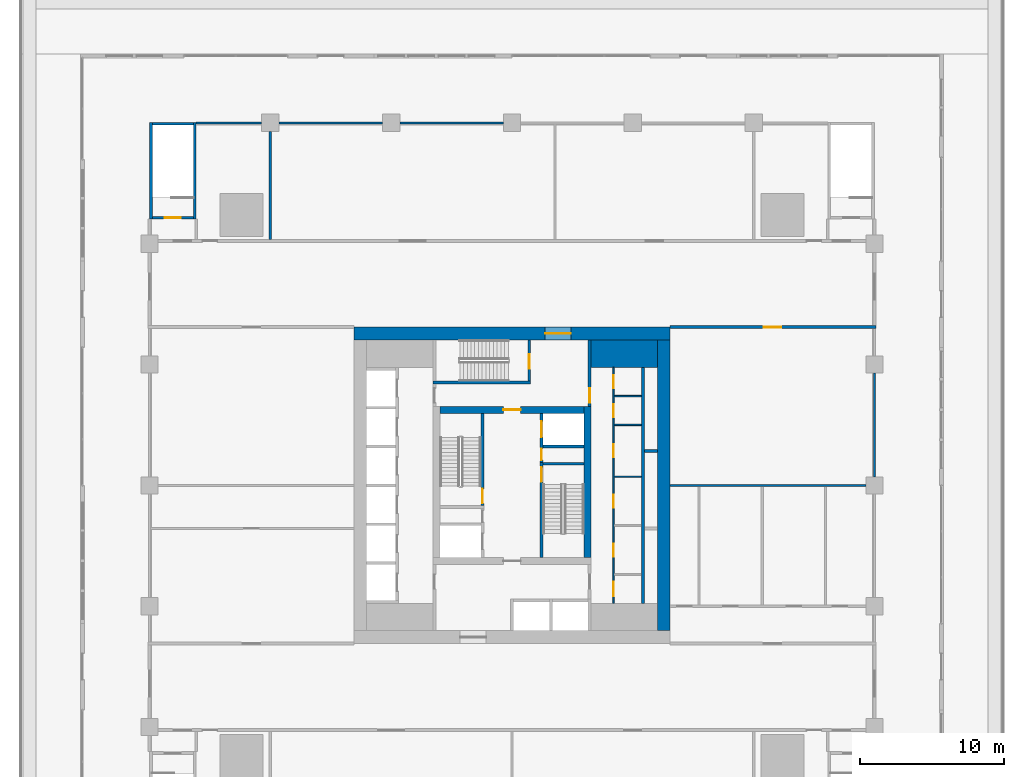
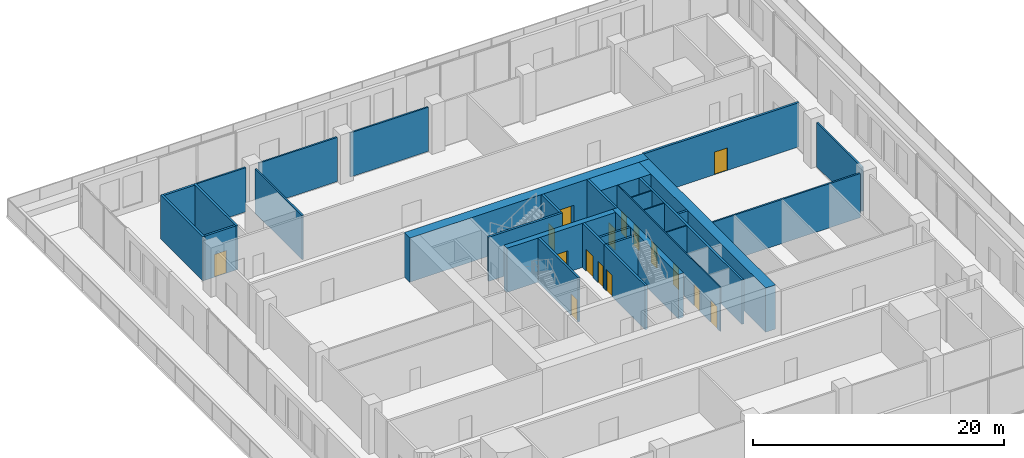
# One storey, part 15 of 22: 30 walls, 16 doors, 16 openings.
"""IFC4 building model written with IfcOpenShell, lengths in metres."""

from ifc_helpers import new_model, si_unit, direction, frame, frame_2d, origin, place, context, subcontext, project, spatial, rectangle, extrude, material, layer, layer_set, type_object, element, fill, save


model = new_model("IFC4")

# Units and contexts
model_context = context("Model", 3, precision=1e-05, world=origin(), true_north=direction((0.0, 1.0)))
body_context = subcontext(model_context, "Body", "Model", "MODEL_VIEW")
ifc_project = project(units=[si_unit("LENGTHUNIT", "METRE"), si_unit("AREAUNIT", "SQUARE_METRE"), si_unit("VOLUMEUNIT", "CUBIC_METRE"), si_unit("PLANEANGLEUNIT", "RADIAN"), si_unit("MASSUNIT", "GRAM", prefix="KILO")], contexts=[model_context])

# Site, building, storey
site_placement = place(None, origin())
site = spatial("IfcSite", under=ifc_project, at=site_placement, CompositionType="ELEMENT")
building_placement = place(site_placement, origin())
building = spatial("IfcBuilding", under=site, at=building_placement, Name="Khepri Terraces", CompositionType="ELEMENT")
storey_placement = place(building_placement, frame((0.0, 0.0, 22.199951171875)))
storey = spatial("IfcBuildingStorey", under=building, at=storey_placement, Name="L04", CompositionType="ELEMENT", Elevation=22.199951171875)

# Wall
ifc_material_1 = material(Name="Concrete C80/95", Category="concrete")
ifc_layer_1 = layer(ifc_material_1, 1.89990234375, Name="Concrete C80/95", Category="concrete")
ifc_layer_set_1 = layer_set([ifc_layer_1], Name="Concrete C80/95")
wall_type_1 = type_object("IfcWallType", Name="Core wall 1900 C80/95", PredefinedType="SHEAR", material=ifc_layer_set_1)
wall_1_placement = place(storey_placement, frame((5.5, 9.14990234375, 0.0), z_axis=(0.0, 0.0, 1.0), x_axis=(1.0, 0.0, 0.0)))
element("IfcWall", 1, at=wall_1_placement, inside=storey, type_object=wall_type_1, Name="Core wall PR04 L04", PredefinedType="SHEAR", context=body_context, shape_type="SweptSolid", body=[
    extrude(rectangle(XDim=4.60009765625, YDim=1.89990234375, at=frame_2d((2.300048828125, 0.0))), origin(), (0.0, 0.0, 1.0), 4.300048828125),
])

# Wall, opening, door
ifc_layer_2 = layer(ifc_material_1, 0.199951171875, Name="Concrete C80/95", Category="concrete")
ifc_layer_set_2 = layer_set([ifc_layer_2], Name="Concrete C80/95")
wall_type_2 = type_object("IfcWallType", Name="Core wall 200 C80/95", PredefinedType="SHEAR", material=ifc_layer_set_2)
wall_2_placement = place(storey_placement, frame((2.050048828125, -5.0, 0.0), z_axis=(0.0, 0.0, 1.0), x_axis=(0.0, 1.0, 0.0)))
wall_2 = element("IfcWall", 2, at=wall_2_placement, inside=storey, type_object=wall_type_2, Name="Core wall ST01 L04", PredefinedType="SHEAR", context=body_context, shape_type="SweptSolid", body=[
    extrude(rectangle(XDim=6.60009765625, YDim=0.199951171875, at=frame_2d((3.300048828125, 0.0))), origin(), (0.0, 0.0, 1.0), 4.300048828125),
])
opening_1_placement = place(wall_2_placement, frame((5.25, 0.0, 0.0)))
opening_1 = element("IfcOpeningElement", 3, at=opening_1_placement, cuts=wall_2, Name="Opening L04-C10", PredefinedType="OPENING", context=body_context, shape_type="SweptSolid", body=[
    extrude(rectangle(XDim=1.0, YDim=2.10009765625, at=frame_2d((0.5, 1.050048828125))), frame((0.0, 0.10986328125, 0.0), z_axis=(0.0, -1.0, 0.0), x_axis=(1.0, 0.0, 0.0)), (0.0, 0.0, 1.0), 0.219970703125),
])
ifc_material_2 = material(Name="Painted steel", Category="steel")
door_type_1 = type_object("IfcDoorType", Name="DR-CORE-STAIR-1000", OperationType="NOTDEFINED", PredefinedType="DOOR", material=ifc_material_2)
door_1_placement = place(opening_1_placement, frame((1.0, 0.0, 0.0), z_axis=(0.0, 0.0, 1.0), x_axis=(-1.0, 0.0, 0.0)))
door_1 = element("IfcDoor", 4, at=door_1_placement, inside=storey, type_object=door_type_1, Name="Stair door L04-C10", OperationType="SINGLE_SWING_LEFT", OverallHeight=2.10009765625, OverallWidth=1.0, PredefinedType="DOOR", context=body_context, shape_type="SweptSolid", body=[
    extrude(rectangle(XDim=1.0, YDim=2.10009765625, at=frame_2d((0.5, 1.050048828125))), frame((0.0, 0.02490234375, 0.0), z_axis=(0.0, -1.0, 0.0), x_axis=(1.0, 0.0, 0.0)), (0.0, 0.0, 1.0), 0.050048828125),
])
fill(opening_1, door_1)

wall_3_placement = place(storey_placement, frame((-2.050048828125, -1.39990234375, 0.0), z_axis=(0.0, 0.0, 1.0), x_axis=(0.0, 1.0, 0.0)))
wall_3 = element("IfcWall", 5, at=wall_3_placement, inside=storey, type_object=wall_type_2, Name="Core wall ST03 L04", PredefinedType="SHEAR", context=body_context, shape_type="SweptSolid", body=[
    extrude(rectangle(XDim=6.39990234375, YDim=0.199951171875, at=frame_2d((3.199951171875, 0.0))), origin(), (0.0, 0.0, 1.0), 4.300048828125),
])
opening_2_placement = place(wall_3_placement, frame((0.14990234375, 0.0, 0.0)))
opening_2 = element("IfcOpeningElement", 6, at=opening_2_placement, cuts=wall_3, Name="Opening L04-C09", PredefinedType="OPENING", context=body_context, shape_type="SweptSolid", body=[
    extrude(rectangle(XDim=1.0, YDim=2.10009765625, at=frame_2d((0.5, 1.050048828125))), frame((0.0, 0.10986328125, 0.0), z_axis=(0.0, -1.0, 0.0), x_axis=(1.0, 0.0, 0.0)), (0.0, 0.0, 1.0), 0.219970703125),
])
door_2_placement = place(opening_2_placement, origin())
door_2 = element("IfcDoor", 7, at=door_2_placement, inside=storey, type_object=door_type_1, Name="Stair door L04-C09", OperationType="SINGLE_SWING_LEFT", OverallHeight=2.10009765625, OverallWidth=1.0, PredefinedType="DOOR", context=body_context, shape_type="SweptSolid", body=[
    extrude(rectangle(XDim=1.0, YDim=2.10009765625, at=frame_2d((0.5, 1.050048828125))), frame((0.0, 0.02490234375, 0.0), z_axis=(0.0, -1.0, 0.0), x_axis=(1.0, 0.0, 0.0)), (0.0, 0.0, 1.0), 0.050048828125),
])
fill(opening_2, door_2)

# Walls
wall_4_placement = place(storey_placement, frame((2.14990234375, 1.5, 0.0), z_axis=(0.0, 0.0, 1.0), x_axis=(1.0, 0.0, 0.0)))
element("IfcWall", 8, at=wall_4_placement, inside=storey, type_object=wall_type_2, Name="Core wall ST04 L04", PredefinedType="SHEAR", context=body_context, shape_type="SweptSolid", body=[
    extrude(rectangle(XDim=2.85009765625, YDim=0.199951171875, at=frame_2d((1.425048828125, 0.0))), origin(), (0.0, 0.0, 1.0), 4.300048828125),
])
wall_5_placement = place(storey_placement, frame((-5.5, 7.14990234375, 0.0), z_axis=(0.0, 0.0, 1.0), x_axis=(1.0, 0.0, 0.0)))
element("IfcWall", 9, at=wall_5_placement, inside=storey, type_object=wall_type_2, Name="Core wall ST05 L04", PredefinedType="SHEAR", context=body_context, shape_type="SweptSolid", body=[
    extrude(rectangle(XDim=6.800048828125, YDim=0.199951171875, at=frame_2d((3.39990234375, 0.0))), origin(), (0.0, 0.0, 1.0), 4.300048828125),
])

# Wall, opening, door
wall_6_placement = place(storey_placement, frame((1.199951171875, 7.25, 0.0), z_axis=(0.0, 0.0, 1.0), x_axis=(0.0, 1.0, 0.0)))
wall_6 = element("IfcWall", 10, at=wall_6_placement, inside=storey, type_object=wall_type_2, Name="Core wall ST07 L04", PredefinedType="SHEAR", context=body_context, shape_type="SweptSolid", body=[
    extrude(rectangle(XDim=2.85009765625, YDim=0.199951171875, at=frame_2d((1.425048828125, 0.0))), origin(), (0.0, 0.0, 1.0), 4.300048828125),
])
opening_3_placement = place(wall_6_placement, frame((0.85009765625, 0.0, 0.0)))
opening_3 = element("IfcOpeningElement", 11, at=opening_3_placement, cuts=wall_6, Name="Opening L04-C15", PredefinedType="OPENING", context=body_context, shape_type="SweptSolid", body=[
    extrude(rectangle(XDim=1.0, YDim=2.10009765625, at=frame_2d((0.5, 1.050048828125))), frame((0.0, 0.10986328125, 0.0), z_axis=(0.0, -1.0, 0.0), x_axis=(1.0, 0.0, 0.0)), (0.0, 0.0, 1.0), 0.219970703125),
])
door_3_placement = place(opening_3_placement, origin())
door_3 = element("IfcDoor", 12, at=door_3_placement, inside=storey, type_object=door_type_1, Name="Stair door L04-C15", OperationType="SINGLE_SWING_LEFT", OverallHeight=2.10009765625, OverallWidth=1.0, PredefinedType="DOOR", context=body_context, shape_type="SweptSolid", body=[
    extrude(rectangle(XDim=1.0, YDim=2.10009765625, at=frame_2d((0.5, 1.050048828125))), frame((0.0, 0.02490234375, 0.0), z_axis=(0.0, -1.0, 0.0), x_axis=(1.0, 0.0, 0.0)), (0.0, 0.0, 1.0), 0.050048828125),
])
fill(opening_3, door_3)

# Wall
wall_7_placement = place(storey_placement, frame((9.10009765625, -8.199951171875, 0.0), z_axis=(0.0, 0.0, 1.0), x_axis=(0.0, 1.0, 0.0)))
element("IfcWall", 13, at=wall_7_placement, inside=storey, type_object=wall_type_2, Name="Core wall SH05 L04", PredefinedType="SHEAR", context=body_context, shape_type="SweptSolid", body=[
    extrude(rectangle(XDim=16.39990234375, YDim=0.199951171875, at=frame_2d((8.199951171875, 0.0))), origin(), (0.0, 0.0, 1.0), 4.300048828125),
])

# Wall, openings, doors
wall_8_placement = place(storey_placement, frame((2.050048828125, 1.60009765625, 0.0), z_axis=(0.0, 0.0, 1.0), x_axis=(0.0, 1.0, 0.0)))
wall_8 = element("IfcWall", 14, at=wall_8_placement, inside=storey, type_object=wall_type_2, Name="Core wall SH15 L04", PredefinedType="SHEAR", context=body_context, shape_type="SweptSolid", body=[
    extrude(rectangle(XDim=3.39990234375, YDim=0.199951171875, at=frame_2d((1.699951171875, 0.0))), origin(), (0.0, 0.0, 1.0), 4.300048828125),
])
opening_4_placement = place(wall_8_placement, frame((1.75, 0.0, 0.0)))
opening_4 = element("IfcOpeningElement", 15, at=opening_4_placement, cuts=wall_8, Name="Opening L04-C07", PredefinedType="OPENING", context=body_context, shape_type="SweptSolid", body=[
    extrude(rectangle(XDim=1.10009765625, YDim=2.10009765625, at=frame_2d((0.550048828125, 1.050048828125))), frame((0.0, 0.10986328125, 0.0), z_axis=(0.0, -1.0, 0.0), x_axis=(1.0, 0.0, 0.0)), (0.0, 0.0, 1.0), 0.219970703125),
])
opening_5_placement = place(wall_8_placement, frame((0.14990234375, 0.0, 0.0)))
opening_5 = element("IfcOpeningElement", 16, at=opening_5_placement, cuts=wall_8, Name="Opening L04-C11", PredefinedType="OPENING", context=body_context, shape_type="SweptSolid", body=[
    extrude(rectangle(XDim=0.800048828125, YDim=2.10009765625, at=frame_2d((0.39990234375, 1.050048828125))), frame((0.0, 0.10986328125, 0.0), z_axis=(0.0, -1.0, 0.0), x_axis=(1.0, 0.0, 0.0)), (0.0, 0.0, 1.0), 0.219970703125),
])
ifc_material_3 = material(Name="Stainless steel 304", Category="steel")
door_type_2 = type_object("IfcDoorType", Name="DR-CORE-FF-LANDING-1100", OperationType="NOTDEFINED", PredefinedType="DOOR", material=ifc_material_3)
door_4_placement = place(opening_4_placement, origin())
door_4 = element("IfcDoor", 17, at=door_4_placement, inside=storey, type_object=door_type_2, Name="Firefighting lift landing door L04-C07", OperationType="SLIDING_TO_LEFT", OverallHeight=2.10009765625, OverallWidth=1.10009765625, PredefinedType="DOOR", context=body_context, shape_type="SweptSolid", body=[
    extrude(rectangle(XDim=1.10009765625, YDim=2.10009765625, at=frame_2d((0.550048828125, 1.050048828125))), frame((0.0, 0.02490234375, 0.0), z_axis=(0.0, -1.0, 0.0), x_axis=(1.0, 0.0, 0.0)), (0.0, 0.0, 1.0), 0.050048828125),
])
fill(opening_4, door_4)
door_type_3 = type_object("IfcDoorType", Name="DR-CORE-RISER-800", OperationType="NOTDEFINED", PredefinedType="DOOR", material=ifc_material_2)
door_5_placement = place(opening_5_placement, frame((0.800048828125, 0.0, 0.0), z_axis=(0.0, 0.0, 1.0), x_axis=(-1.0, 0.0, 0.0)))
door_5 = element("IfcDoor", 18, at=door_5_placement, inside=storey, type_object=door_type_3, Name="Riser door L04-C11", OperationType="SINGLE_SWING_RIGHT", OverallHeight=2.10009765625, OverallWidth=0.800048828125, PredefinedType="DOOR", context=body_context, shape_type="SweptSolid", body=[
    extrude(rectangle(XDim=0.800048828125, YDim=2.10009765625, at=frame_2d((0.39990234375, 1.050048828125))), frame((0.0, 0.02490234375, 0.0), z_axis=(0.0, -1.0, 0.0), x_axis=(1.0, 0.0, 0.0)), (0.0, 0.0, 1.0), 0.050048828125),
])
fill(opening_5, door_5)

# Walls
wall_9_placement = place(storey_placement, frame((9.199951171875, 2.39990234375, 0.0), z_axis=(0.0, 0.0, 1.0), x_axis=(1.0, 0.0, 0.0)))
element("IfcWall", 19, at=wall_9_placement, inside=storey, type_object=wall_type_2, Name="Core wall SH16 L04", PredefinedType="SHEAR", context=body_context, shape_type="SweptSolid", body=[
    extrude(rectangle(XDim=0.900146484375, YDim=0.199951171875, at=frame_2d((0.4501953125, 0.0))), origin(), (0.0, 0.0, 1.0), 4.300048828125),
])
wall_10_placement = place(storey_placement, frame((2.14990234375, 2.699951171875, 0.0), z_axis=(0.0, 0.0, 1.0), x_axis=(1.0, 0.0, 0.0)))
element("IfcWall", 20, at=wall_10_placement, inside=storey, type_object=wall_type_2, Name="Core wall SH18 L04", PredefinedType="SHEAR", context=body_context, shape_type="SweptSolid", body=[
    extrude(rectangle(XDim=2.85009765625, YDim=0.199951171875, at=frame_2d((1.425048828125, 0.0))), origin(), (0.0, 0.0, 1.0), 4.300048828125),
])
ifc_layer_3 = layer(ifc_material_1, 0.5, Name="Concrete C80/95", Category="concrete")
ifc_layer_set_3 = layer_set([ifc_layer_3], Name="Concrete C80/95")
wall_type_3 = type_object("IfcWallType", Name="Core wall 500 C80/95", PredefinedType="SHEAR", material=ifc_layer_set_3)
wall_11_placement = place(storey_placement, frame((5.25, -5.0, 0.0), z_axis=(0.0, 0.0, 1.0), x_axis=(0.0, 1.0, 0.0)))
element("IfcWall", 21, at=wall_11_placement, inside=storey, type_object=wall_type_3, Name="Core wall BX03 L04", PredefinedType="SHEAR", context=body_context, shape_type="SweptSolid", body=[
    extrude(rectangle(XDim=10.5, YDim=0.5, at=frame_2d((5.25, 0.0))), origin(), (0.0, 0.0, 1.0), 4.300048828125),
])

# Wall, opening, door
wall_12_placement = place(storey_placement, frame((-5.0, 5.25, 0.0), z_axis=(0.0, 0.0, 1.0), x_axis=(1.0, 0.0, 0.0)))
wall_12 = element("IfcWall", 22, at=wall_12_placement, inside=storey, type_object=wall_type_3, Name="Core wall BX04 L04", PredefinedType="SHEAR", context=body_context, shape_type="SweptSolid", body=[
    extrude(rectangle(XDim=10.0, YDim=0.5, at=frame_2d((5.0, 0.0))), origin(), (0.0, 0.0, 1.0), 4.300048828125),
])
opening_6_placement = place(wall_12_placement, frame((4.39990234375, 0.0, 0.0)))
opening_6 = element("IfcOpeningElement", 23, at=opening_6_placement, cuts=wall_12, Name="Opening L04-C13", PredefinedType="OPENING", context=body_context, shape_type="SweptSolid", body=[
    extrude(rectangle(XDim=1.199951171875, YDim=2.10009765625, at=frame_2d((0.60009765625, 1.050048828125))), frame((0.0, 0.260009765625, 0.0), z_axis=(0.0, -1.0, 0.0), x_axis=(1.0, 0.0, 0.0)), (0.0, 0.0, 1.0), 0.52001953125),
])
door_type_4 = type_object("IfcDoorType", Name="DR-CORE-FF-LOBBY-1200", OperationType="NOTDEFINED", PredefinedType="DOOR", material=ifc_material_2)
door_6_placement = place(opening_6_placement, frame((1.199951171875, 0.0, 0.0), z_axis=(0.0, 0.0, 1.0), x_axis=(-1.0, 0.0, 0.0)))
door_6 = element("IfcDoor", 24, at=door_6_placement, inside=storey, type_object=door_type_4, Name="Firefighting lobby door L04-C13", OperationType="SINGLE_SWING_LEFT", OverallHeight=2.10009765625, OverallWidth=1.199951171875, PredefinedType="DOOR", context=body_context, shape_type="SweptSolid", body=[
    extrude(rectangle(XDim=1.199951171875, YDim=2.10009765625, at=frame_2d((0.60009765625, 1.050048828125))), frame((0.0, 0.02490234375, 0.0), z_axis=(0.0, -1.0, 0.0), x_axis=(1.0, 0.0, 0.0)), (0.0, 0.0, 1.0), 0.050048828125),
])
fill(opening_6, door_6)

ifc_layer_4 = layer(ifc_material_1, 0.89990234375, Name="Concrete C80/95", Category="concrete")
ifc_layer_set_4 = layer_set([ifc_layer_4], Name="Concrete C80/95")
wall_type_4 = type_object("IfcWallType", Name="Core wall 900 C80/95", PredefinedType="SHEAR", material=ifc_layer_set_4)
wall_13_placement = place(storey_placement, frame((-11.0, 10.550048828125, 0.0), z_axis=(0.0, 0.0, 1.0), x_axis=(1.0, 0.0, 0.0)))
wall_13 = element("IfcWall", 25, at=wall_13_placement, inside=storey, type_object=wall_type_4, Name="Core wall OW-N L04", PredefinedType="SHEAR", context=body_context, shape_type="SweptSolid", body=[
    extrude(rectangle(XDim=22.0, YDim=0.89990234375, at=frame_2d((11.0, 0.0))), origin(), (0.0, 0.0, 1.0), 4.300048828125),
])
opening_7_placement = place(wall_13_placement, frame((13.300048828125, 0.0, 0.0)))
opening_7 = element("IfcOpeningElement", 26, at=opening_7_placement, cuts=wall_13, Name="Opening L04-C20", PredefinedType="OPENING", context=body_context, shape_type="SweptSolid", body=[
    extrude(rectangle(XDim=1.800048828125, YDim=2.199951171875, at=frame_2d((0.89990234375, 1.10009765625))), frame((0.0, 0.4599609375, 0.0), z_axis=(0.0, -1.0, 0.0), x_axis=(1.0, 0.0, 0.0)), (0.0, 0.0, 1.0), 0.919921875),
])
door_type_5 = type_object("IfcDoorType", Name="DR-CORE-ENTRANCE-1800", OperationType="NOTDEFINED", PredefinedType="DOOR", material=ifc_material_2)
door_7_placement = place(opening_7_placement, origin())
door_7 = element("IfcDoor", 27, at=door_7_placement, inside=storey, type_object=door_type_5, Name="Core entrance door pair L04-C20", OperationType="DOUBLE_DOOR_SINGLE_SWING", OverallHeight=2.199951171875, OverallWidth=1.800048828125, PredefinedType="DOOR", context=body_context, shape_type="SweptSolid", body=[
    extrude(rectangle(XDim=1.800048828125, YDim=2.199951171875, at=frame_2d((0.89990234375, 1.10009765625))), frame((0.0, 0.02490234375, 0.0), z_axis=(0.0, -1.0, 0.0), x_axis=(1.0, 0.0, 0.0)), (0.0, 0.0, 1.0), 0.050048828125),
])
fill(opening_7, door_7)

# Wall
wall_14_placement = place(storey_placement, frame((10.550048828125, -10.10009765625, 0.0), z_axis=(0.0, 0.0, 1.0), x_axis=(0.0, 1.0, 0.0)))
element("IfcWall", 28, at=wall_14_placement, inside=storey, type_object=wall_type_4, Name="Core wall OW-E L04", PredefinedType="SHEAR", context=body_context, shape_type="SweptSolid", body=[
    extrude(rectangle(XDim=20.2001953125, YDim=0.89990234375, at=frame_2d((10.10009765625, 0.0))), origin(), (0.0, 0.0, 1.0), 4.300048828125),
])

# Wall, openings, doors
ifc_material_4 = material(Name="Fire-rated gypsum board partition")
ifc_layer_5 = layer(ifc_material_4, 0.10009765625, Name="Fire-rated gypsum board partition")
ifc_layer_set_5 = layer_set([ifc_layer_5], Name="Fire-rated gypsum board partition")
wall_type_5 = type_object("IfcWallType", Name="WL-CORE-PART-100", PredefinedType="PARTITIONING", material=ifc_layer_set_5)
wall_15_placement = place(storey_placement, frame((7.050048828125, -8.199951171875, 0.0), z_axis=(0.0, 0.0, 1.0), x_axis=(0.0, 1.0, 0.0)))
wall_15 = element("IfcWall", 29, at=wall_15_placement, inside=storey, type_object=wall_type_5, Name="Core partition PT02 L04", PredefinedType="PARTITIONING", context=body_context, shape_type="SweptSolid", body=[
    extrude(rectangle(XDim=16.39990234375, YDim=0.10009765625, at=frame_2d((8.199951171875, 0.0))), origin(), (0.0, 0.0, 1.0), 4.300048828125),
])
opening_8_placement = place(wall_15_placement, frame((0.5, 0.0, 0.0)))
opening_8 = element("IfcOpeningElement", 30, at=opening_8_placement, cuts=wall_15, Name="Opening L04-C22", PredefinedType="OPENING", context=body_context, shape_type="SweptSolid", body=[
    extrude(rectangle(XDim=1.0, YDim=2.10009765625, at=frame_2d((0.5, 1.050048828125))), frame((0.0, 0.06005859375, 0.0), z_axis=(0.0, -1.0, 0.0), x_axis=(1.0, 0.0, 0.0)), (0.0, 0.0, 1.0), 0.1201171875),
])
opening_9_placement = place(wall_15_placement, frame((3.25, 0.0, 0.0)))
opening_9 = element("IfcOpeningElement", 31, at=opening_9_placement, cuts=wall_15, Name="Opening L04-C23", PredefinedType="OPENING", context=body_context, shape_type="SweptSolid", body=[
    extrude(rectangle(XDim=0.89990234375, YDim=2.10009765625, at=frame_2d((0.449951171875, 1.050048828125))), frame((0.0, 0.06005859375, 0.0), z_axis=(0.0, -1.0, 0.0), x_axis=(1.0, 0.0, 0.0)), (0.0, 0.0, 1.0), 0.1201171875),
])
opening_10_placement = place(wall_15_placement, frame((6.64990234375, 0.0, 0.0)))
opening_10 = element("IfcOpeningElement", 32, at=opening_10_placement, cuts=wall_15, Name="Opening L04-C24", PredefinedType="OPENING", context=body_context, shape_type="SweptSolid", body=[
    extrude(rectangle(XDim=0.89990234375, YDim=2.10009765625, at=frame_2d((0.449951171875, 1.050048828125))), frame((0.0, 0.06005859375, 0.0), z_axis=(0.0, -1.0, 0.0), x_axis=(1.0, 0.0, 0.0)), (0.0, 0.0, 1.0), 0.1201171875),
])
opening_11_placement = place(wall_15_placement, frame((10.14990234375, 0.0, 0.0)))
opening_11 = element("IfcOpeningElement", 33, at=opening_11_placement, cuts=wall_15, Name="Opening L04-C25", PredefinedType="OPENING", context=body_context, shape_type="SweptSolid", body=[
    extrude(rectangle(XDim=0.89990234375, YDim=2.10009765625, at=frame_2d((0.449951171875, 1.050048828125))), frame((0.0, 0.06005859375, 0.0), z_axis=(0.0, -1.0, 0.0), x_axis=(1.0, 0.0, 0.0)), (0.0, 0.0, 1.0), 0.1201171875),
])
opening_12_placement = place(wall_15_placement, frame((12.949951171875, 0.0, 0.0)))
opening_12 = element("IfcOpeningElement", 34, at=opening_12_placement, cuts=wall_15, Name="Opening L04-C26", PredefinedType="OPENING", context=body_context, shape_type="SweptSolid", body=[
    extrude(rectangle(XDim=0.89990234375, YDim=2.10009765625, at=frame_2d((0.449951171875, 1.050048828125))), frame((0.0, 0.06005859375, 0.0), z_axis=(0.0, -1.0, 0.0), x_axis=(1.0, 0.0, 0.0)), (0.0, 0.0, 1.0), 0.1201171875),
])
opening_13_placement = place(wall_15_placement, frame((14.949951171875, 0.0, 0.0)))
opening_13 = element("IfcOpeningElement", 35, at=opening_13_placement, cuts=wall_15, Name="Opening L04-C27", PredefinedType="OPENING", context=body_context, shape_type="SweptSolid", body=[
    extrude(rectangle(XDim=0.89990234375, YDim=2.10009765625, at=frame_2d((0.449951171875, 1.050048828125))), frame((0.0, 0.06005859375, 0.0), z_axis=(0.0, -1.0, 0.0), x_axis=(1.0, 0.0, 0.0)), (0.0, 0.0, 1.0), 0.1201171875),
])
door_type_6 = type_object("IfcDoorType", Name="DR-CORE-SERVICE-900", OperationType="NOTDEFINED", PredefinedType="DOOR", material=ifc_material_2)
door_8_placement = place(opening_9_placement, frame((0.89990234375, 0.0, 0.0), z_axis=(0.0, 0.0, 1.0), x_axis=(-1.0, 0.0, 0.0)))
door_8 = element("IfcDoor", 36, at=door_8_placement, inside=storey, type_object=door_type_6, Name="Service room door L04-C23", OperationType="SINGLE_SWING_RIGHT", OverallHeight=2.10009765625, OverallWidth=0.89990234375, PredefinedType="DOOR", context=body_context, shape_type="SweptSolid", body=[
    extrude(rectangle(XDim=0.89990234375, YDim=2.10009765625, at=frame_2d((0.449951171875, 1.050048828125))), frame((0.0, 0.02490234375, 0.0), z_axis=(0.0, -1.0, 0.0), x_axis=(1.0, 0.0, 0.0)), (0.0, 0.0, 1.0), 0.050048828125),
])
fill(opening_9, door_8)
door_9_placement = place(opening_10_placement, frame((0.89990234375, 0.0, 0.0), z_axis=(0.0, 0.0, 1.0), x_axis=(-1.0, 0.0, 0.0)))
door_9 = element("IfcDoor", 37, at=door_9_placement, inside=storey, type_object=door_type_6, Name="Service room door L04-C24", OperationType="SINGLE_SWING_RIGHT", OverallHeight=2.10009765625, OverallWidth=0.89990234375, PredefinedType="DOOR", context=body_context, shape_type="SweptSolid", body=[
    extrude(rectangle(XDim=0.89990234375, YDim=2.10009765625, at=frame_2d((0.449951171875, 1.050048828125))), frame((0.0, 0.02490234375, 0.0), z_axis=(0.0, -1.0, 0.0), x_axis=(1.0, 0.0, 0.0)), (0.0, 0.0, 1.0), 0.050048828125),
])
fill(opening_10, door_9)
door_10_placement = place(opening_11_placement, frame((0.89990234375, 0.0, 0.0), z_axis=(0.0, 0.0, 1.0), x_axis=(-1.0, 0.0, 0.0)))
door_10 = element("IfcDoor", 38, at=door_10_placement, inside=storey, type_object=door_type_6, Name="Service room door L04-C25", OperationType="SINGLE_SWING_LEFT", OverallHeight=2.10009765625, OverallWidth=0.89990234375, PredefinedType="DOOR", context=body_context, shape_type="SweptSolid", body=[
    extrude(rectangle(XDim=0.89990234375, YDim=2.10009765625, at=frame_2d((0.449951171875, 1.050048828125))), frame((0.0, 0.02490234375, 0.0), z_axis=(0.0, -1.0, 0.0), x_axis=(1.0, 0.0, 0.0)), (0.0, 0.0, 1.0), 0.050048828125),
])
fill(opening_11, door_10)
door_11_placement = place(opening_12_placement, frame((0.89990234375, 0.0, 0.0), z_axis=(0.0, 0.0, 1.0), x_axis=(-1.0, 0.0, 0.0)))
door_11 = element("IfcDoor", 39, at=door_11_placement, inside=storey, type_object=door_type_6, Name="Service room door L04-C26", OperationType="SINGLE_SWING_LEFT", OverallHeight=2.10009765625, OverallWidth=0.89990234375, PredefinedType="DOOR", context=body_context, shape_type="SweptSolid", body=[
    extrude(rectangle(XDim=0.89990234375, YDim=2.10009765625, at=frame_2d((0.449951171875, 1.050048828125))), frame((0.0, 0.02490234375, 0.0), z_axis=(0.0, -1.0, 0.0), x_axis=(1.0, 0.0, 0.0)), (0.0, 0.0, 1.0), 0.050048828125),
])
fill(opening_12, door_11)
door_12_placement = place(opening_13_placement, frame((0.89990234375, 0.0, 0.0), z_axis=(0.0, 0.0, 1.0), x_axis=(-1.0, 0.0, 0.0)))
door_12 = element("IfcDoor", 40, at=door_12_placement, inside=storey, type_object=door_type_6, Name="Service room door L04-C27", OperationType="SINGLE_SWING_LEFT", OverallHeight=2.10009765625, OverallWidth=0.89990234375, PredefinedType="DOOR", context=body_context, shape_type="SweptSolid", body=[
    extrude(rectangle(XDim=0.89990234375, YDim=2.10009765625, at=frame_2d((0.449951171875, 1.050048828125))), frame((0.0, 0.02490234375, 0.0), z_axis=(0.0, -1.0, 0.0), x_axis=(1.0, 0.0, 0.0)), (0.0, 0.0, 1.0), 0.050048828125),
])
fill(opening_13, door_12)
ifc_material_5 = material(Name="Timber veneer", Category="wood")
door_type_7 = type_object("IfcDoorType", Name="DR-CORE-WC-1000", OperationType="NOTDEFINED", PredefinedType="DOOR", material=ifc_material_5)
door_13_placement = place(opening_8_placement, frame((1.0, 0.0, 0.0), z_axis=(0.0, 0.0, 1.0), x_axis=(-1.0, 0.0, 0.0)))
door_13 = element("IfcDoor", 41, at=door_13_placement, inside=storey, type_object=door_type_7, Name="WC door L04-C22", OperationType="SINGLE_SWING_RIGHT", OverallHeight=2.10009765625, OverallWidth=1.0, PredefinedType="DOOR", context=body_context, shape_type="SweptSolid", body=[
    extrude(rectangle(XDim=1.0, YDim=2.10009765625, at=frame_2d((0.5, 1.050048828125))), frame((0.0, 0.02490234375, 0.0), z_axis=(0.0, -1.0, 0.0), x_axis=(1.0, 0.0, 0.0)), (0.0, 0.0, 1.0), 0.050048828125),
])
fill(opening_8, door_13)

# Walls
for number, where, z_axis, x_axis, name in (
    (42, (7.10009765625, 0.60009765625, 0.0), (0.0, 0.0, 1.0), (1.0, 0.0, 0.0), "Core partition PT06 L04"),
    (43, (7.10009765625, 4.199951171875, 0.0), (0.0, 0.0, 1.0), (1.0, 0.0, 0.0), "Core partition PT07 L04"),
    (44, (7.10009765625, 6.199951171875, 0.0), (0.0, 0.0, 1.0), (1.0, 0.0, 0.0), "Core partition PT10 L04"),
):
    element("IfcWall", number, at=place(storey_placement, frame(where, z_axis=z_axis, x_axis=x_axis)), inside=storey, type_object=wall_type_5, Name=name, PredefinedType="PARTITIONING", context=body_context, shape_type="SweptSolid", body=[
        extrude(rectangle(XDim=1.89990234375, YDim=0.10009765625, at=frame_2d((0.949951171875, 0.0))), origin(), (0.0, 0.0, 1.0), 4.300048828125),
    ])

# Wall, opening, door
ifc_layer_6 = layer(ifc_material_4, 0.199951171875, Name="Fire-rated gypsum board partition")
ifc_layer_set_6 = layer_set([ifc_layer_6], Name="Fire-rated gypsum board partition")
wall_type_6 = type_object("IfcWallType", Name="WL-CORE-PART-200", PredefinedType="PARTITIONING", material=ifc_layer_set_6)
wall_16_placement = place(storey_placement, frame((5.39990234375, 5.5, 0.0), z_axis=(0.0, 0.0, 1.0), x_axis=(0.0, 1.0, 0.0)))
wall_16 = element("IfcWall", 45, at=wall_16_placement, inside=storey, type_object=wall_type_6, Name="Core partition PT09 L04", PredefinedType="PARTITIONING", context=body_context, shape_type="SweptSolid", body=[
    extrude(rectangle(XDim=4.60009765625, YDim=0.199951171875, at=frame_2d((2.300048828125, 0.0))), origin(), (0.0, 0.0, 1.0), 4.300048828125),
])
opening_14_placement = place(wall_16_placement, frame((0.25, 0.0, 0.0)))
opening_14 = element("IfcOpeningElement", 46, at=opening_14_placement, cuts=wall_16, Name="Opening L04-C17", PredefinedType="OPENING", context=body_context, shape_type="SweptSolid", body=[
    extrude(rectangle(XDim=1.0, YDim=2.10009765625, at=frame_2d((0.5, 1.050048828125))), frame((0.0, 0.10986328125, 0.0), z_axis=(0.0, -1.0, 0.0), x_axis=(1.0, 0.0, 0.0)), (0.0, 0.0, 1.0), 0.219970703125),
])
door_type_8 = type_object("IfcDoorType", Name="DR-CORE-LOBBY-1000", OperationType="NOTDEFINED", PredefinedType="DOOR", material=ifc_material_2)
door_14_placement = place(opening_14_placement, origin())
door_14 = element("IfcDoor", 47, at=door_14_placement, inside=storey, type_object=door_type_8, Name="Lobby door L04-C17", OperationType="SINGLE_SWING_LEFT", OverallHeight=2.10009765625, OverallWidth=1.0, PredefinedType="DOOR", context=body_context, shape_type="SweptSolid", body=[
    extrude(rectangle(XDim=1.0, YDim=2.10009765625, at=frame_2d((0.5, 1.050048828125))), frame((0.0, 0.02490234375, 0.0), z_axis=(0.0, -1.0, 0.0), x_axis=(1.0, 0.0, 0.0)), (0.0, 0.0, 1.0), 0.050048828125),
])
fill(opening_14, door_14)

# Walls
ifc_material_6 = material(Name="Gypsum board partition")
ifc_layer_7 = layer(ifc_material_6, 0.14990234375, Name="Gypsum board partition")
ifc_layer_set_7 = layer_set([ifc_layer_7], Name="Gypsum board partition")
wall_type_7 = type_object("IfcWallType", Name="WL-POD-150", PredefinedType="PARTITIONING", material=ifc_layer_set_7)
wall_17_placement = place(storey_placement, frame((11.0, 0.0, 0.0), z_axis=(0.0, 0.0, 1.0), x_axis=(1.0, 0.0, 0.0)))
element("IfcWall", 48, at=wall_17_placement, inside=storey, type_object=wall_type_7, Name="Partition L04-PW013", PredefinedType="PARTITIONING", context=body_context, shape_type="SweptSolid", body=[
    extrude(rectangle(XDim=13.60009765625, YDim=0.14990234375, at=frame_2d((6.800048828125, 0.0))), origin(), (0.0, 0.0, 1.0), 4.300048828125),
])
wall_18_placement = place(storey_placement, frame((-21.949951171875, 25.199951171875, 0.0), z_axis=(0.0, 0.0, 1.0), x_axis=(1.0, 0.0, 0.0)))
element("IfcWall", 49, at=wall_18_placement, inside=storey, type_object=wall_type_7, Name="Partition L04-PW017", PredefinedType="PARTITIONING", context=body_context, shape_type="SweptSolid", body=[
    extrude(rectangle(XDim=4.550048828125, YDim=0.14990234375, at=frame_2d((2.27490234375, 0.0))), origin(), (0.0, 0.0, 1.0), 4.300048828125),
])
for number, where, z_axis, x_axis, name in (
    (50, (-16.199951171875, 25.199951171875, 0.0), (0.0, 0.0, 1.0), (1.0, 0.0, 0.0), "Partition L04-PW018"),
    (51, (-7.800048828125, 25.199951171875, 0.0), (0.0, 0.0, 1.0), (1.0, 0.0, 0.0), "Partition L04-PW019"),
):
    element("IfcWall", number, at=place(storey_placement, frame(where, z_axis=z_axis, x_axis=x_axis)), inside=storey, type_object=wall_type_7, Name=name, PredefinedType="PARTITIONING", context=body_context, shape_type="SweptSolid", body=[
        extrude(rectangle(XDim=7.199951171875, YDim=0.14990234375, at=frame_2d((3.60009765625, 0.0))), origin(), (0.0, 0.0, 1.0), 4.300048828125),
    ])
wall_19_placement = place(storey_placement, frame((-16.800048828125, 17.10009765625, 0.0), z_axis=(0.0, 0.0, 1.0), x_axis=(0.0, 1.0, 0.0)))
element("IfcWall", 52, at=wall_19_placement, inside=storey, type_object=wall_type_7, Name="Partition L04-PW034", PredefinedType="PARTITIONING", context=body_context, shape_type="SweptSolid", body=[
    extrude(rectangle(XDim=7.5, YDim=0.14990234375, at=frame_2d((3.75, 0.0))), origin(), (0.0, 0.0, 1.0), 4.300048828125),
])
wall_20_placement = place(storey_placement, frame((25.199951171875, 0.60009765625, 0.0), z_axis=(0.0, 0.0, 1.0), x_axis=(0.0, 1.0, 0.0)))
element("IfcWall", 53, at=wall_20_placement, inside=storey, type_object=wall_type_7, Name="Partition L04-PW048", PredefinedType="PARTITIONING", context=body_context, shape_type="SweptSolid", body=[
    extrude(rectangle(XDim=7.199951171875, YDim=0.14990234375, at=frame_2d((3.60009765625, 0.0))), origin(), (0.0, 0.0, 1.0), 4.300048828125),
])

# Wall, opening, door
ifc_material_7 = material(Name="Fire-rated block wall")
ifc_layer_8 = layer(ifc_material_7, 0.199951171875, Name="Fire-rated block wall")
ifc_layer_set_8 = layer_set([ifc_layer_8], Name="Fire-rated block wall")
wall_type_8 = type_object("IfcWallType", Name="WL-POD-200-EI60", PredefinedType="PARTITIONING", material=ifc_layer_set_8)
wall_21_placement = place(storey_placement, frame((11.0, 11.0, 0.0), z_axis=(0.0, 0.0, 1.0), x_axis=(1.0, 0.0, 0.0)))
wall_21 = element("IfcWall", 54, at=wall_21_placement, inside=storey, type_object=wall_type_8, Name="Partition L04-PW015", PredefinedType="PARTITIONING", context=body_context, shape_type="SweptSolid", body=[
    extrude(rectangle(XDim=14.300048828125, YDim=0.199951171875, at=frame_2d((7.14990234375, 0.0))), origin(), (0.0, 0.0, 1.0), 4.300048828125),
])
opening_15_placement = place(wall_21_placement, frame((6.5, 0.0, 0.0)))
opening_15 = element("IfcOpeningElement", 55, at=opening_15_placement, cuts=wall_21, Name="Opening L04-P17", PredefinedType="OPENING", context=body_context, shape_type="SweptSolid", body=[
    extrude(rectangle(XDim=1.199951171875, YDim=2.199951171875, at=frame_2d((0.60009765625, 1.10009765625))), frame((0.0, 0.10986328125, 0.0), z_axis=(0.0, -1.0, 0.0), x_axis=(1.0, 0.0, 0.0)), (0.0, 0.0, 1.0), 0.219970703125),
])
door_type_9 = type_object("IfcDoorType", Name="DR-POD-SINGLE-1200", OperationType="NOTDEFINED", PredefinedType="DOOR", material=ifc_material_5)
door_15_placement = place(opening_15_placement, origin())
door_15 = element("IfcDoor", 56, at=door_15_placement, inside=storey, type_object=door_type_9, Name="Door L04-P17", OperationType="SINGLE_SWING_RIGHT", OverallHeight=2.199951171875, OverallWidth=1.199951171875, PredefinedType="DOOR", context=body_context, shape_type="SweptSolid", body=[
    extrude(rectangle(XDim=1.199951171875, YDim=2.199951171875, at=frame_2d((0.60009765625, 1.10009765625))), frame((0.0, 0.02490234375, 0.0), z_axis=(0.0, -1.0, 0.0), x_axis=(1.0, 0.0, 0.0)), (0.0, 0.0, 1.0), 0.050048828125),
])
fill(opening_15, door_15)

# Walls
ifc_material_8 = material(Name="Concrete C40/50", Category="concrete")
ifc_layer_9 = layer(ifc_material_8, 0.199951171875, Name="Concrete C40/50", Category="concrete")
ifc_layer_set_9 = layer_set([ifc_layer_9], Name="Concrete C40/50")
wall_type_9 = type_object("IfcWallType", Name="WL-POD-STAIR-200", PredefinedType="SOLIDWALL", material=ifc_layer_set_9)
for number, where, z_axis, x_axis, name in (
    (57, (-25.10009765625, 18.5, 0.0), (0.0, 0.0, 1.0), (0.0, 1.0, 0.0), "Stair enclosure PS-2 L04-W"),
    (58, (-22.050048828125, 18.5, 0.0), (0.0, 0.0, 1.0), (0.0, 1.0, 0.0), "Stair enclosure PS-2 L04-E"),
):
    element("IfcWall", number, at=place(storey_placement, frame(where, z_axis=z_axis, x_axis=x_axis)), inside=storey, type_object=wall_type_9, Name=name, PredefinedType="SOLIDWALL", context=body_context, shape_type="SweptSolid", body=[
        extrude(rectangle(XDim=6.739990234375, YDim=0.199951171875, at=frame_2d((3.3701171875, 0.0))), origin(), (0.0, 0.0, 1.0), 4.300048828125),
    ])

# Wall, opening, door
wall_22_placement = place(storey_placement, frame((-25.0, 18.60009765625, 0.0), z_axis=(0.0, 0.0, 1.0), x_axis=(1.0, 0.0, 0.0)))
wall_22 = element("IfcWall", 59, at=wall_22_placement, inside=storey, type_object=wall_type_9, Name="Stair enclosure PS-2 L04-S", PredefinedType="SOLIDWALL", context=body_context, shape_type="SweptSolid", body=[
    extrude(rectangle(XDim=2.85009765625, YDim=0.199951171875, at=frame_2d((1.425048828125, 0.0))), origin(), (0.0, 0.0, 1.0), 4.300048828125),
])
opening_16_placement = place(wall_22_placement, frame((0.875, 0.0, 0.0)))
opening_16 = element("IfcOpeningElement", 60, at=opening_16_placement, cuts=wall_22, Name="Opening L04-PS-2D", PredefinedType="OPENING", context=body_context, shape_type="SweptSolid", body=[
    extrude(rectangle(XDim=1.10009765625, YDim=2.199951171875, at=frame_2d((0.550048828125, 1.10009765625))), frame((0.0, 0.10986328125, 0.0), z_axis=(0.0, -1.0, 0.0), x_axis=(1.0, 0.0, 0.0)), (0.0, 0.0, 1.0), 0.219970703125),
])
door_type_10 = type_object("IfcDoorType", Name="DR-POD-STAIR-1100", OperationType="NOTDEFINED", PredefinedType="DOOR", material=ifc_material_2)
door_16_placement = place(opening_16_placement, origin())
door_16 = element("IfcDoor", 61, at=door_16_placement, inside=storey, type_object=door_type_10, Name="Stair door L04-PS-2D", OperationType="SINGLE_SWING_LEFT", OverallHeight=2.199951171875, OverallWidth=1.10009765625, PredefinedType="DOOR", context=body_context, shape_type="SweptSolid", body=[
    extrude(rectangle(XDim=1.10009765625, YDim=2.199951171875, at=frame_2d((0.550048828125, 1.10009765625))), frame((0.0, 0.02490234375, 0.0), z_axis=(0.0, -1.0, 0.0), x_axis=(1.0, 0.0, 0.0)), (0.0, 0.0, 1.0), 0.050048828125),
])
fill(opening_16, door_16)

# Wall
wall_23_placement = place(storey_placement, frame((-25.0, 25.139892578125, 0.0), z_axis=(0.0, 0.0, 1.0), x_axis=(1.0, 0.0, 0.0)))
element("IfcWall", 62, at=wall_23_placement, inside=storey, type_object=wall_type_9, Name="Stair enclosure PS-2 L04-N", PredefinedType="SOLIDWALL", context=body_context, shape_type="SweptSolid", body=[
    extrude(rectangle(XDim=2.85009765625, YDim=0.199951171875, at=frame_2d((1.425048828125, 0.0))), origin(), (0.0, 0.0, 1.0), 4.300048828125),
])

save(model, "model.ifc")
